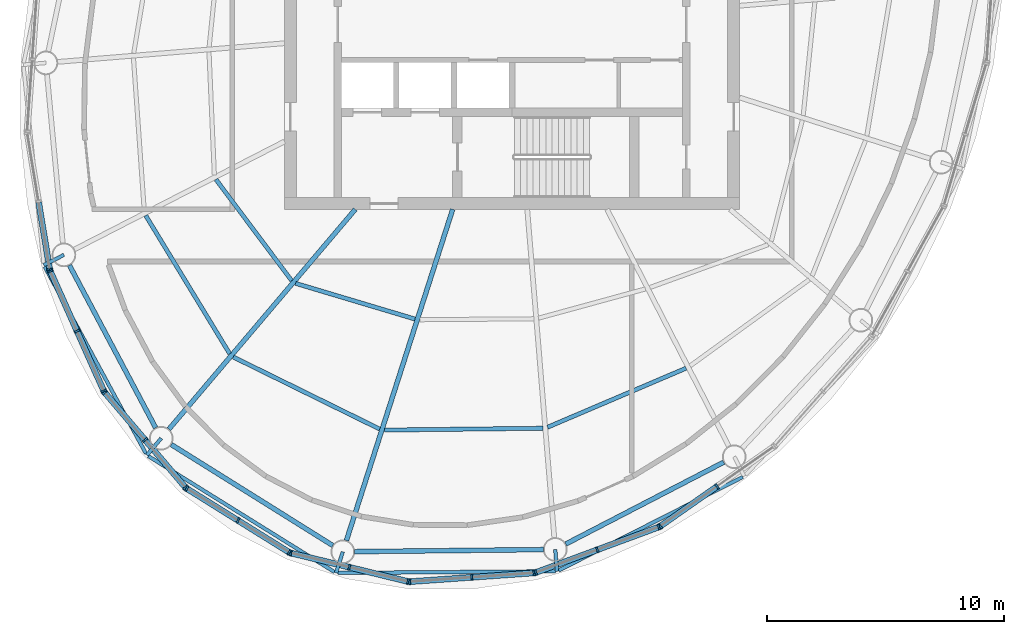
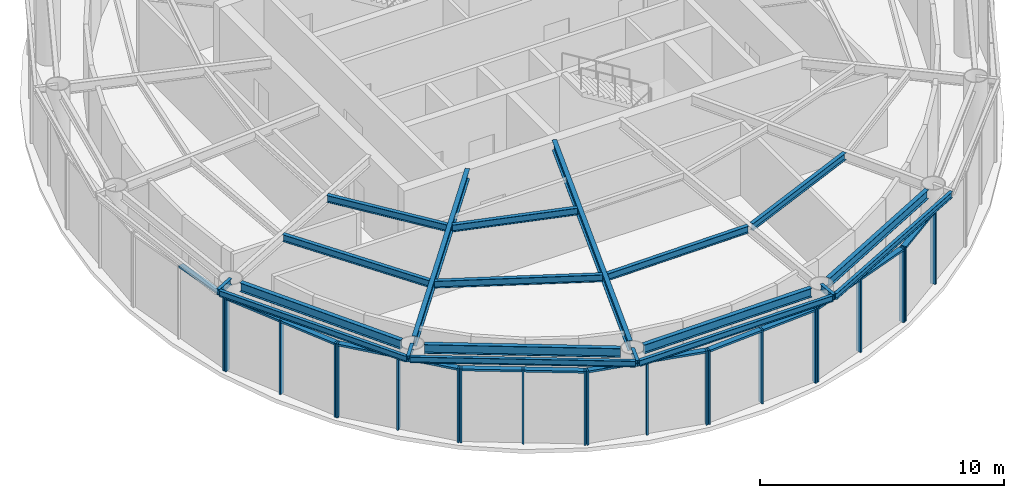
# One storey, part 2 of 11: 35 members, 20 beams, 8 elements without a shape of their own.
"""IFC4 building model written with IfcOpenShell, lengths in metres."""

from ifc_helpers import new_model, si_unit, direction, frame, origin, origin_2d, place, context, subcontext, project, spatial, rectangle, i_section, extrude, material, material_profile, profile_set, type_object, element, aggregate, save


model = new_model("IFC4")

# Units and contexts
model_context = context("Model", 3, precision=1e-05, world=origin(), true_north=direction((0.0, 1.0)))
body_context = subcontext(model_context, "Body", "Model", "MODEL_VIEW")
ifc_project = project(units=[si_unit("LENGTHUNIT", "METRE"), si_unit("AREAUNIT", "SQUARE_METRE"), si_unit("VOLUMEUNIT", "CUBIC_METRE"), si_unit("PLANEANGLEUNIT", "RADIAN"), si_unit("MASSUNIT", "GRAM", prefix="KILO")], contexts=[model_context])

# Site, building, storey
site_placement = place(None, origin())
site = spatial("IfcSite", under=ifc_project, at=site_placement, CompositionType="ELEMENT")
building_placement = place(site_placement, origin())
building = spatial("IfcBuilding", under=site, at=building_placement, Name="Vermilion Reach Broadcast Tower", CompositionType="ELEMENT")
storey_placement = place(building_placement, frame((0.0, 0.0, 317.10009765625)))
storey = spatial("IfcBuildingStorey", under=building, at=storey_placement, Name="L79 CROWN", CompositionType="ELEMENT", Elevation=317.10009765625)

# Curtain wall, member
ifc_material_1 = material(Name="Low-e laminated clear glass in aluminium frame", Category="aluminium")
curtain_wall_type = type_object("IfcCurtainWallType", Name="Crown glazing curtain wall", PredefinedType="NOTDEFINED", material=ifc_material_1)
placement = place(storey_placement, origin())
curtain_wall_1 = element("IfcCurtainWall", 1, at=placement, inside=storey, type_object=curtain_wall_type, Name="Crown glazing L79 CROWN 09", PredefinedType="NOTDEFINED")
ifc_material_2 = material(Name="Anodised aluminium", Category="aluminium")
ifc_material_profile_1 = material_profile(ifc_material_2, rectangle(XDim=0.25, YDim=0.080078125, at=origin_2d()), Name="Crown glazing mullion 80 x 250")
ifc_profile_set_1 = profile_set([ifc_material_profile_1], Name="Anodised aluminium")
member_type_1 = type_object("IfcMemberType", Name="Crown glazing mullion 80 x 250", PredefinedType="MULLION", material=ifc_profile_set_1)
member_1_placement = place(storey_placement, frame((-25.5029296875, -10.3359375, 0.0), z_axis=(0.0, 0.0, 1.0), x_axis=(0.986689101121, 0.162618011697, 0.0)))
member_1 = element("IfcMember", 2, at=member_1_placement, type_object=member_type_1, Name="Crown glazing mullion L79 CROWN 09.3", PredefinedType="MULLION", context=body_context, shape_type="SweptSolid", body=[
    extrude(rectangle(XDim=0.25, YDim=0.080078125, at=origin_2d()), origin(), (0.0, 0.0, 1.0), 3.699951171875),
])

# Curtain wall, members
curtain_wall_2 = element("IfcCurtainWall", 3, at=placement, inside=storey, type_object=curtain_wall_type, Name="Crown glazing L79 CROWN 10", PredefinedType="NOTDEFINED")
member_2_placement = place(storey_placement, frame((-25.480224609375, -10.411865234375, 0.0), z_axis=(0.0, 0.0, 1.0), x_axis=(0.912988806241, 0.407984607158, 0.0)))
member_2 = element("IfcMember", 4, at=member_2_placement, type_object=member_type_1, Name="Crown glazing mullion L79 CROWN 10.1", PredefinedType="MULLION", context=body_context, shape_type="SweptSolid", body=[
    extrude(rectangle(XDim=0.25, YDim=0.080078125, at=origin_2d()), origin(), (0.0, 0.0, 1.0), 3.699951171875),
])
member_3_placement = place(storey_placement, frame((-24.35205078125, -12.9365234375, 0.0), z_axis=(0.0, 0.0, 1.0), x_axis=(0.912988806241, 0.407984607158, 0.0)))
member_3 = element("IfcMember", 5, at=member_3_placement, type_object=member_type_1, Name="Crown glazing mullion L79 CROWN 10.2", PredefinedType="MULLION", context=body_context, shape_type="SweptSolid", body=[
    extrude(rectangle(XDim=0.25, YDim=0.080078125, at=origin_2d()), origin(), (0.0, 0.0, 1.0), 3.699951171875),
])
member_4_placement = place(storey_placement, frame((-23.2236328125, -15.46142578125, 0.0), z_axis=(0.0, 0.0, 1.0), x_axis=(0.912988806241, 0.407984607158, 0.0)))
member_4 = element("IfcMember", 6, at=member_4_placement, type_object=member_type_1, Name="Crown glazing mullion L79 CROWN 10.3", PredefinedType="MULLION", context=body_context, shape_type="SweptSolid", body=[
    extrude(rectangle(XDim=0.25, YDim=0.080078125, at=origin_2d()), origin(), (0.0, 0.0, 1.0), 3.699951171875),
])

curtain_wall_3 = element("IfcCurtainWall", 7, at=placement, inside=storey, type_object=curtain_wall_type, Name="Crown glazing L79 CROWN 11", PredefinedType="NOTDEFINED")
member_5_placement = place(storey_placement, frame((-23.181396484375, -15.5283203125, 0.0), z_axis=(0.0, 0.0, 1.0), x_axis=(0.761749854468, 0.647871252038, 0.0)))
member_5 = element("IfcMember", 8, at=member_5_placement, type_object=member_type_1, Name="Crown glazing mullion L79 CROWN 11.1", PredefinedType="MULLION", context=body_context, shape_type="SweptSolid", body=[
    extrude(rectangle(XDim=0.25, YDim=0.080078125, at=origin_2d()), origin(), (0.0, 0.0, 1.0), 3.699951171875),
])
member_6_placement = place(storey_placement, frame((-21.480224609375, -17.52880859375, 0.0), z_axis=(0.0, 0.0, 1.0), x_axis=(0.761749854468, 0.647871252038, 0.0)))
member_6 = element("IfcMember", 9, at=member_6_placement, type_object=member_type_1, Name="Crown glazing mullion L79 CROWN 11.2", PredefinedType="MULLION", context=body_context, shape_type="SweptSolid", body=[
    extrude(rectangle(XDim=0.25, YDim=0.080078125, at=origin_2d()), origin(), (0.0, 0.0, 1.0), 3.699951171875),
])
member_7_placement = place(storey_placement, frame((-19.77880859375, -19.529052734375, 0.0), z_axis=(0.0, 0.0, 1.0), x_axis=(0.761749854468, 0.647871252038, 0.0)))
member_7 = element("IfcMember", 10, at=member_7_placement, type_object=member_type_1, Name="Crown glazing mullion L79 CROWN 11.3", PredefinedType="MULLION", context=body_context, shape_type="SweptSolid", body=[
    extrude(rectangle(XDim=0.25, YDim=0.080078125, at=origin_2d()), origin(), (0.0, 0.0, 1.0), 3.699951171875),
])

curtain_wall_4 = element("IfcCurtainWall", 11, at=placement, inside=storey, type_object=curtain_wall_type, Name="Crown glazing L79 CROWN 12", PredefinedType="NOTDEFINED")
member_8_placement = place(storey_placement, frame((-19.718994140625, -19.580810546875, 0.0), z_axis=(0.0, 0.0, 1.0), x_axis=(0.52886102859, 0.848708437827, 0.0)))
member_8 = element("IfcMember", 12, at=member_8_placement, type_object=member_type_1, Name="Crown glazing mullion L79 CROWN 12.1", PredefinedType="MULLION", context=body_context, shape_type="SweptSolid", body=[
    extrude(rectangle(XDim=0.25, YDim=0.080078125, at=origin_2d()), origin(), (0.0, 0.0, 1.0), 3.699951171875),
])
member_9_placement = place(storey_placement, frame((-17.5615234375, -20.925048828125, 0.0), z_axis=(0.0, 0.0, 1.0), x_axis=(0.52886102859, 0.848708437827, 0.0)))
member_9 = element("IfcMember", 13, at=member_9_placement, type_object=member_type_1, Name="Crown glazing mullion L79 CROWN 12.2", PredefinedType="MULLION", context=body_context, shape_type="SweptSolid", body=[
    extrude(rectangle(XDim=0.25, YDim=0.080078125, at=origin_2d()), origin(), (0.0, 0.0, 1.0), 3.699951171875),
])
member_10_placement = place(storey_placement, frame((-15.404052734375, -22.26953125, 0.0), z_axis=(0.0, 0.0, 1.0), x_axis=(0.52886102859, 0.848708437827, 0.0)))
member_10 = element("IfcMember", 14, at=member_10_placement, type_object=member_type_1, Name="Crown glazing mullion L79 CROWN 12.3", PredefinedType="MULLION", context=body_context, shape_type="SweptSolid", body=[
    extrude(rectangle(XDim=0.25, YDim=0.080078125, at=origin_2d()), origin(), (0.0, 0.0, 1.0), 3.699951171875),
])

curtain_wall_5 = element("IfcCurtainWall", 15, at=placement, inside=storey, type_object=curtain_wall_type, Name="Crown glazing L79 CROWN 13", PredefinedType="NOTDEFINED")
member_11_placement = place(storey_placement, frame((-15.331298828125, -22.300048828125, 0.0), z_axis=(0.0, 0.0, 1.0), x_axis=(0.236354420386, 0.971666912045, 0.0)))
member_11 = element("IfcMember", 16, at=member_11_placement, type_object=member_type_1, Name="Crown glazing mullion L79 CROWN 13.1", PredefinedType="MULLION", context=body_context, shape_type="SweptSolid", body=[
    extrude(rectangle(XDim=0.25, YDim=0.080078125, at=origin_2d()), origin(), (0.0, 0.0, 1.0), 3.699951171875),
])
member_12_placement = place(storey_placement, frame((-12.861328125, -22.90087890625, 0.0), z_axis=(0.0, 0.0, 1.0), x_axis=(0.236354420386, 0.971666912045, 0.0)))
member_12 = element("IfcMember", 17, at=member_12_placement, type_object=member_type_1, Name="Crown glazing mullion L79 CROWN 13.2", PredefinedType="MULLION", context=body_context, shape_type="SweptSolid", body=[
    extrude(rectangle(XDim=0.25, YDim=0.080078125, at=origin_2d()), origin(), (0.0, 0.0, 1.0), 3.699951171875),
])
member_13_placement = place(storey_placement, frame((-10.39111328125, -23.501708984375, 0.0), z_axis=(0.0, 0.0, 1.0), x_axis=(0.236354420386, 0.971666912045, 0.0)))
member_13 = element("IfcMember", 18, at=member_13_placement, type_object=member_type_1, Name="Crown glazing mullion L79 CROWN 13.3", PredefinedType="MULLION", context=body_context, shape_type="SweptSolid", body=[
    extrude(rectangle(XDim=0.25, YDim=0.080078125, at=origin_2d()), origin(), (0.0, 0.0, 1.0), 3.699951171875),
])

curtain_wall_6 = element("IfcCurtainWall", 19, at=placement, inside=storey, type_object=curtain_wall_type, Name="Crown glazing L79 CROWN 14", PredefinedType="NOTDEFINED")
member_14_placement = place(storey_placement, frame((-10.3125, -23.50830078125, 0.0), z_axis=(0.0, 0.0, 1.0), x_axis=(-0.070082236977, 0.997541217224, 0.0)))
member_14 = element("IfcMember", 20, at=member_14_placement, type_object=member_type_1, Name="Crown glazing mullion L79 CROWN 14.1", PredefinedType="MULLION", context=body_context, shape_type="SweptSolid", body=[
    extrude(rectangle(XDim=0.25, YDim=0.080078125, at=origin_2d()), origin(), (0.0, 0.0, 1.0), 3.699951171875),
])
member_15_placement = place(storey_placement, frame((-7.69287109375, -23.324462890625, 0.0), z_axis=(0.0, 0.0, 1.0), x_axis=(-0.070082236977, 0.997541217224, 0.0)))
member_15 = element("IfcMember", 21, at=member_15_placement, type_object=member_type_1, Name="Crown glazing mullion L79 CROWN 14.2", PredefinedType="MULLION", context=body_context, shape_type="SweptSolid", body=[
    extrude(rectangle(XDim=0.25, YDim=0.080078125, at=origin_2d()), origin(), (0.0, 0.0, 1.0), 3.699951171875),
])
member_16_placement = place(storey_placement, frame((-5.0732421875, -23.140380859375, 0.0), z_axis=(0.0, 0.0, 1.0), x_axis=(-0.070082236977, 0.997541217224, 0.0)))
member_16 = element("IfcMember", 22, at=member_16_placement, type_object=member_type_1, Name="Crown glazing mullion L79 CROWN 14.3", PredefinedType="MULLION", context=body_context, shape_type="SweptSolid", body=[
    extrude(rectangle(XDim=0.25, YDim=0.080078125, at=origin_2d()), origin(), (0.0, 0.0, 1.0), 3.699951171875),
])

curtain_wall_7 = element("IfcCurtainWall", 23, at=placement, inside=storey, type_object=curtain_wall_type, Name="Crown glazing L79 CROWN 15", PredefinedType="NOTDEFINED")
member_17_placement = place(storey_placement, frame((-4.995849609375, -23.12353515625, 0.0), z_axis=(0.0, 0.0, 1.0), x_axis=(-0.347291008771, 0.93775740745, 0.0)))
member_17 = element("IfcMember", 24, at=member_17_placement, type_object=member_type_1, Name="Crown glazing mullion L79 CROWN 15.1", PredefinedType="MULLION", context=body_context, shape_type="SweptSolid", body=[
    extrude(rectangle(XDim=0.25, YDim=0.080078125, at=origin_2d()), origin(), (0.0, 0.0, 1.0), 3.699951171875),
])
member_18_placement = place(storey_placement, frame((-2.402587890625, -22.163330078125, 0.0), z_axis=(0.0, 0.0, 1.0), x_axis=(-0.347291008771, 0.93775740745, 0.0)))
member_18 = element("IfcMember", 25, at=member_18_placement, type_object=member_type_1, Name="Crown glazing mullion L79 CROWN 15.2", PredefinedType="MULLION", context=body_context, shape_type="SweptSolid", body=[
    extrude(rectangle(XDim=0.25, YDim=0.080078125, at=origin_2d()), origin(), (0.0, 0.0, 1.0), 3.699951171875),
])
member_19_placement = place(storey_placement, frame((0.190673828125, -21.202880859375, 0.0), z_axis=(0.0, 0.0, 1.0), x_axis=(-0.347291008771, 0.93775740745, 0.0)))
member_19 = element("IfcMember", 26, at=member_19_placement, type_object=member_type_1, Name="Crown glazing mullion L79 CROWN 15.3", PredefinedType="MULLION", context=body_context, shape_type="SweptSolid", body=[
    extrude(rectangle(XDim=0.25, YDim=0.080078125, at=origin_2d()), origin(), (0.0, 0.0, 1.0), 3.699951171875),
])

curtain_wall_8 = element("IfcCurtainWall", 27, at=placement, inside=storey, type_object=curtain_wall_type, Name="Crown glazing L79 CROWN 16", PredefinedType="NOTDEFINED")
member_20_placement = place(storey_placement, frame((0.2607421875, -21.166015625, 0.0), z_axis=(0.0, 0.0, 1.0), x_axis=(-0.574163969023, 0.818740335317, 0.0)))
member_20 = element("IfcMember", 28, at=member_20_placement, type_object=member_type_1, Name="Crown glazing mullion L79 CROWN 16.1", PredefinedType="MULLION", context=body_context, shape_type="SweptSolid", body=[
    extrude(rectangle(XDim=0.25, YDim=0.080078125, at=origin_2d()), origin(), (0.0, 0.0, 1.0), 3.699951171875),
])
member_21_placement = place(storey_placement, frame((2.64990234375, -19.49072265625, 0.0), z_axis=(0.0, 0.0, 1.0), x_axis=(-0.574163969023, 0.818740335317, 0.0)))
member_21 = element("IfcMember", 29, at=member_21_placement, type_object=member_type_1, Name="Crown glazing mullion L79 CROWN 16.2", PredefinedType="MULLION", context=body_context, shape_type="SweptSolid", body=[
    extrude(rectangle(XDim=0.25, YDim=0.080078125, at=origin_2d()), origin(), (0.0, 0.0, 1.0), 3.699951171875),
])

# Member
ifc_material_3 = material(Name="Anodised aluminium", Category="aluminium")
ifc_material_profile_2 = material_profile(ifc_material_3, rectangle(XDim=0.25, YDim=0.10009765625, at=origin_2d()), Name="Crown glazing transom 250 x 100")
ifc_profile_set_2 = profile_set([ifc_material_profile_2], Name="Anodised aluminium")
member_type_2 = type_object("IfcMemberType", Name="Crown glazing transom 250 x 100", PredefinedType="USERDEFINED", material=ifc_profile_set_2)
member_22_placement = place(storey_placement, frame((-25.970947265625, -7.496337890625, 3.64990234375), z_axis=(0.162599033258, -0.986692228805, 0.0), x_axis=(0.986692228805, 0.162599033258, 0.0)))
member_22 = element("IfcMember", 30, at=member_22_placement, type_object=member_type_2, Name="Crown glazing transom L79 CROWN 09.2.2", ObjectType="TRANSOM", PredefinedType="USERDEFINED", context=body_context, shape_type="SweptSolid", body=[
    extrude(rectangle(XDim=0.25, YDim=0.10009765625, at=origin_2d()), origin(), (0.0, 0.0, 1.0), 2.837890625),
])

aggregate(curtain_wall_1, [member_1, member_22])

member_23_placement = place(storey_placement, frame((-25.4638671875, -10.4482421875, 3.64990234375), z_axis=(0.407993268167, -0.912984935873, 0.0), x_axis=(0.912984935873, 0.407993268167, 0.0)))
member_23 = element("IfcMember", 31, at=member_23_placement, type_object=member_type_2, Name="Crown glazing transom L79 CROWN 10.1.2", ObjectType="TRANSOM", PredefinedType="USERDEFINED", context=body_context, shape_type="SweptSolid", body=[
    extrude(rectangle(XDim=0.25, YDim=0.10009765625, at=origin_2d()), origin(), (0.0, 0.0, 1.0), 2.685546875),
])

member_24_placement = place(storey_placement, frame((-24.335693359375, -12.97314453125, 3.64990234375), z_axis=(0.40802713302, -0.912969801647, 0.0), x_axis=(0.912969801647, 0.40802713302, 0.0)))
member_24 = element("IfcMember", 32, at=member_24_placement, type_object=member_type_2, Name="Crown glazing transom L79 CROWN 10.2.2", ObjectType="TRANSOM", PredefinedType="USERDEFINED", context=body_context, shape_type="SweptSolid", body=[
    extrude(rectangle(XDim=0.25, YDim=0.10009765625, at=origin_2d()), origin(), (0.0, 0.0, 1.0), 2.685302734375),
])

aggregate(curtain_wall_2, [member_2, member_3, member_4, member_23, member_24])

member_25_placement = place(storey_placement, frame((-23.155517578125, -15.558837890625, 3.64990234375), z_axis=(0.647848811341, -0.7617689398, 0.0), x_axis=(0.7617689398, 0.647848811341, 0.0)))
member_25 = element("IfcMember", 33, at=member_25_placement, type_object=member_type_2, Name="Crown glazing transom L79 CROWN 11.1.2", ObjectType="TRANSOM", PredefinedType="USERDEFINED", context=body_context, shape_type="SweptSolid", body=[
    extrude(rectangle(XDim=0.25, YDim=0.10009765625, at=origin_2d()), origin(), (0.0, 0.0, 1.0), 2.5458984375),
])

member_26_placement = place(storey_placement, frame((-21.454345703125, -17.55908203125, 3.64990234375), z_axis=(0.647904451719, -0.761721616762, 0.0), x_axis=(0.761721616762, 0.647904451719, 0.0)))
member_26 = element("IfcMember", 34, at=member_26_placement, type_object=member_type_2, Name="Crown glazing transom L79 CROWN 11.2.2", ObjectType="TRANSOM", PredefinedType="USERDEFINED", context=body_context, shape_type="SweptSolid", body=[
    extrude(rectangle(XDim=0.25, YDim=0.10009765625, at=origin_2d()), origin(), (0.0, 0.0, 1.0), 2.546142578125),
])

aggregate(curtain_wall_3, [member_5, member_6, member_7, member_25, member_26])

member_27_placement = place(storey_placement, frame((-19.68505859375, -19.601806640625, 3.64990234375), z_axis=(0.848682779768, -0.528902202043, 0.0), x_axis=(0.528902202043, 0.848682779768, 0.0)))
member_27 = element("IfcMember", 35, at=member_27_placement, type_object=member_type_2, Name="Crown glazing transom L79 CROWN 12.1.2", ObjectType="TRANSOM", PredefinedType="USERDEFINED", context=body_context, shape_type="SweptSolid", body=[
    extrude(rectangle(XDim=0.25, YDim=0.10009765625, at=origin_2d()), origin(), (0.0, 0.0, 1.0), 2.462158203125),
])

member_28_placement = place(storey_placement, frame((-17.527587890625, -20.9462890625, 3.64990234375), z_axis=(0.848727287614, -0.528830777526, 0.0), x_axis=(0.528830777526, 0.848727287614, 0.0)))
member_28 = element("IfcMember", 36, at=member_28_placement, type_object=member_type_2, Name="Crown glazing transom L79 CROWN 12.2.2", ObjectType="TRANSOM", PredefinedType="USERDEFINED", context=body_context, shape_type="SweptSolid", body=[
    extrude(rectangle(XDim=0.25, YDim=0.10009765625, at=origin_2d()), origin(), (0.0, 0.0, 1.0), 2.462158203125),
])

aggregate(curtain_wall_4, [member_8, member_9, member_10, member_27, member_28])

member_29_placement = place(storey_placement, frame((-15.29248046875, -22.3095703125, 3.64990234375), z_axis=(0.971679911502, -0.236300972457, 0.0), x_axis=(0.236300972457, 0.971679911502, 0.0)))
member_29 = element("IfcMember", 37, at=member_29_placement, type_object=member_type_2, Name="Crown glazing transom L79 CROWN 13.1.2", ObjectType="TRANSOM", PredefinedType="USERDEFINED", context=body_context, shape_type="SweptSolid", body=[
    extrude(rectangle(XDim=0.25, YDim=0.10009765625, at=origin_2d()), origin(), (0.0, 0.0, 1.0), 2.462158203125),
])

member_30_placement = place(storey_placement, frame((-12.822265625, -22.910400390625, 3.64990234375), z_axis=(0.971674373727, -0.236323742865, 0.0), x_axis=(0.236323742865, 0.971674373727, 0.0)))
member_30 = element("IfcMember", 38, at=member_30_placement, type_object=member_type_2, Name="Crown glazing transom L79 CROWN 13.2.2", ObjectType="TRANSOM", PredefinedType="USERDEFINED", context=body_context, shape_type="SweptSolid", body=[
    extrude(rectangle(XDim=0.25, YDim=0.10009765625, at=origin_2d()), origin(), (0.0, 0.0, 1.0), 2.4619140625),
])

aggregate(curtain_wall_5, [member_11, member_12, member_13, member_29, member_30])

member_31_placement = place(storey_placement, frame((-10.2724609375, -23.505615234375, 3.64990234375), z_axis=(0.997539824471, 0.07010205842, 0.0), x_axis=(-0.07010205842, 0.997539824471, 0.0)))
member_31 = element("IfcMember", 39, at=member_31_placement, type_object=member_type_2, Name="Crown glazing transom L79 CROWN 14.1.2", ObjectType="TRANSOM", PredefinedType="USERDEFINED", context=body_context, shape_type="SweptSolid", body=[
    extrude(rectangle(XDim=0.25, YDim=0.10009765625, at=origin_2d()), origin(), (0.0, 0.0, 1.0), 2.5458984375),
])

member_32_placement = place(storey_placement, frame((-7.653076171875, -23.321533203125, 3.64990234375), z_axis=(0.997540295679, 0.070095352893, 0.0), x_axis=(-0.070095352893, 0.997540295679, 0.0)))
member_32 = element("IfcMember", 40, at=member_32_placement, type_object=member_type_2, Name="Crown glazing transom L79 CROWN 14.2.2", ObjectType="TRANSOM", PredefinedType="USERDEFINED", context=body_context, shape_type="SweptSolid", body=[
    extrude(rectangle(XDim=0.25, YDim=0.10009765625, at=origin_2d()), origin(), (0.0, 0.0, 1.0), 2.546142578125),
])

aggregate(curtain_wall_6, [member_14, member_15, member_16, member_31, member_32])

member_33_placement = place(storey_placement, frame((-4.95849609375, -23.109619140625, 3.64990234375), z_axis=(0.937789331633, 0.347204794717, 0.0), x_axis=(-0.347204794717, 0.937789331633, 0.0)))
member_33 = element("IfcMember", 41, at=member_33_placement, type_object=member_type_2, Name="Crown glazing transom L79 CROWN 15.1.2", ObjectType="TRANSOM", PredefinedType="USERDEFINED", context=body_context, shape_type="SweptSolid", body=[
    extrude(rectangle(XDim=0.25, YDim=0.10009765625, at=origin_2d()), origin(), (0.0, 0.0, 1.0), 2.685302734375),
])

member_34_placement = place(storey_placement, frame((-2.365234375, -22.1494140625, 3.64990234375), z_axis=(0.93775972675, 0.347284746116, 0.0), x_axis=(-0.347284746116, 0.93775972675, 0.0)))
member_34 = element("IfcMember", 42, at=member_34_placement, type_object=member_type_2, Name="Crown glazing transom L79 CROWN 15.2.2", ObjectType="TRANSOM", PredefinedType="USERDEFINED", context=body_context, shape_type="SweptSolid", body=[
    extrude(rectangle(XDim=0.25, YDim=0.10009765625, at=origin_2d()), origin(), (0.0, 0.0, 1.0), 2.685546875),
])

aggregate(curtain_wall_7, [member_17, member_18, member_19, member_33, member_34])

member_35_placement = place(storey_placement, frame((0.293701171875, -21.14306640625, 3.64990234375), z_axis=(0.818742582552, 0.574160764522, 0.0), x_axis=(-0.574160764522, 0.818742582552, 0.0)))
member_35 = element("IfcMember", 43, at=member_35_placement, type_object=member_type_2, Name="Crown glazing transom L79 CROWN 16.1.2", ObjectType="TRANSOM", PredefinedType="USERDEFINED", context=body_context, shape_type="SweptSolid", body=[
    extrude(rectangle(XDim=0.25, YDim=0.10009765625, at=origin_2d()), origin(), (0.0, 0.0, 1.0), 2.837890625),
])

aggregate(curtain_wall_8, [member_20, member_21, member_35])

# Beams
ifc_material_4 = material(Name="Steel S355J2", Category="steel")
ifc_material_profile_3 = material_profile(ifc_material_4, i_section(OverallWidth=0.14990234375, OverallDepth=0.300048828125, WebThickness=0.006591796875, FlangeThickness=0.009033203125, at=origin_2d()), Name="S355J2 HN 300x150x6.5x9")
ifc_profile_set_3 = profile_set([ifc_material_profile_3], Name="Steel S355J2")
beam_type_1 = type_object("IfcBeamType", Name="EB5 HN 300x150x6.5x9", PredefinedType="BEAM", material=ifc_profile_set_3)
beam_1_placement = place(storey_placement, frame((-25.7158203125, -10.22119140625, 3.849853515625), z_axis=(0.476526173128, -0.879160284774, 0.0), x_axis=(0.879160284774, 0.476526173128, 0.0)))
element("IfcBeam", 44, at=beam_1_placement, inside=storey, type_object=beam_type_1, Name="Edge beam EB5-07", PredefinedType="BEAM", context=body_context, shape_type="SweptSolid", body=[
    extrude(i_section(OverallWidth=0.14990234375, OverallDepth=0.300048828125, WebThickness=0.006591796875, FlangeThickness=0.009033203125, at=origin_2d()), origin(), (0.0, 0.0, 1.0), 8.9638671875),
])
beam_2_placement = place(storey_placement, frame((-21.341552734375, -18.212646484375, 3.849853515625), z_axis=(0.848928421209, -0.528507838791, 0.0), x_axis=(0.528507838791, 0.848928421209, 0.0)))
element("IfcBeam", 45, at=beam_2_placement, inside=storey, type_object=beam_type_1, Name="Edge beam EB5-08", PredefinedType="BEAM", context=body_context, shape_type="SweptSolid", body=[
    extrude(i_section(OverallWidth=0.14990234375, OverallDepth=0.300048828125, WebThickness=0.006591796875, FlangeThickness=0.009033203125, at=origin_2d()), origin(), (0.0, 0.0, 1.0), 9.24755859375),
])
beam_3_placement = place(storey_placement, frame((-13.346435546875, -23.140380859375, 3.849853515625), z_axis=(0.999971629622, 0.007532592595, 0.0), x_axis=(-0.007532592595, 0.999971629622, 0.0)))
element("IfcBeam", 46, at=beam_3_placement, inside=storey, type_object=beam_type_1, Name="Edge beam EB5-09", PredefinedType="BEAM", context=body_context, shape_type="SweptSolid", body=[
    extrude(i_section(OverallWidth=0.14990234375, OverallDepth=0.300048828125, WebThickness=0.006591796875, FlangeThickness=0.009033203125, at=origin_2d()), origin(), (0.0, 0.0, 1.0), 9.17236328125),
])
beam_4_placement = place(storey_placement, frame((-4.02685546875, -23.033935546875, 3.849853515625), z_axis=(0.891604217889, 0.452815545936, 0.0), x_axis=(-0.452815545936, 0.891604217889, 0.0)))
element("IfcBeam", 47, at=beam_4_placement, inside=storey, type_object=beam_type_1, Name="Edge beam EB5-10", PredefinedType="BEAM", context=body_context, shape_type="SweptSolid", body=[
    extrude(i_section(OverallWidth=0.14990234375, OverallDepth=0.300048828125, WebThickness=0.006591796875, FlangeThickness=0.009033203125, at=origin_2d()), origin(), (0.0, 0.0, 1.0), 8.70263671875),
])
ifc_material_5 = material(Name="Steel S355J2", Category="steel")
ifc_material_profile_4 = material_profile(ifc_material_5, i_section(OverallWidth=0.199951171875, OverallDepth=0.5, WebThickness=0.010009765625, FlangeThickness=0.01611328125, at=origin_2d()), Name="S355J2 HN 500x200x10x16")
ifc_profile_set_4 = profile_set([ifc_material_profile_4], Name="Steel S355J2")
beam_type_2 = type_object("IfcBeamType", Name="G5 HN 500x200x10x16", PredefinedType="BEAM", material=ifc_profile_set_4)
beam_5_placement = place(storey_placement, frame((-12.612548828125, -7.800048828125, 3.75), z_axis=(-0.646658335602, -0.762779782766, 0.0), x_axis=(0.762779782766, -0.646658335602, 0.0)))
element("IfcBeam", 48, at=beam_5_placement, inside=storey, type_object=beam_type_2, Name="Girder G5-08", PredefinedType="BEAM", context=body_context, shape_type="SweptSolid", body=[
    extrude(i_section(OverallWidth=0.199951171875, OverallDepth=0.5, WebThickness=0.010009765625, FlangeThickness=0.01611328125, at=origin_2d()), origin(), (0.0, 0.0, 1.0), 12.16064453125),
])
beam_6_placement = place(storey_placement, frame((-8.502685546875, -7.800048828125, 3.75), z_axis=(-0.305545401295, -0.952177508528, 0.0), x_axis=(0.952177508528, -0.305545401295, 0.0)))
element("IfcBeam", 49, at=beam_6_placement, inside=storey, type_object=beam_type_2, Name="Girder G5-09", PredefinedType="BEAM", context=body_context, shape_type="SweptSolid", body=[
    extrude(i_section(OverallWidth=0.199951171875, OverallDepth=0.5, WebThickness=0.010009765625, FlangeThickness=0.01611328125, at=origin_2d()), origin(), (0.0, 0.0, 1.0), 14.672607421875),
])
ifc_material_6 = material(Name="Steel S355J2", Category="steel")
ifc_material_profile_5 = material_profile(ifc_material_6, i_section(OverallWidth=0.14990234375, OverallDepth=0.300048828125, WebThickness=0.006591796875, FlangeThickness=0.009033203125, at=origin_2d()), Name="S355J2 HN 300x150x6.5x9")
ifc_profile_set_5 = profile_set([ifc_material_profile_5], Name="Steel S355J2")
beam_type_3 = type_object("IfcBeamType", Name="GS5 HN 300x150x6.5x9", PredefinedType="BEAM", material=ifc_profile_set_5)
beam_7_placement = place(storey_placement, frame((-24.905517578125, -9.72021484375, 3.849853515625), z_axis=(-0.88934146644, -0.457243650662, 0.0), x_axis=(0.457243650662, -0.88934146644, 0.0)))
element("IfcBeam", 50, at=beam_7_placement, inside=storey, type_object=beam_type_3, Name="Cantilever stub GS5-07", PredefinedType="BEAM", context=body_context, shape_type="SweptSolid", body=[
    extrude(i_section(OverallWidth=0.14990234375, OverallDepth=0.300048828125, WebThickness=0.006591796875, FlangeThickness=0.009033203125, at=origin_2d()), origin(), (0.0, 0.0, 1.0), 0.951416015625),
])
beam_8_placement = place(storey_placement, frame((-20.799560546875, -17.457275390625, 3.849853515625), z_axis=(-0.646665495652, -0.762773712665, 0.0), x_axis=(0.762773712665, -0.646665495652, 0.0)))
element("IfcBeam", 51, at=beam_8_placement, inside=storey, type_object=beam_type_3, Name="Cantilever stub GS5-08", PredefinedType="BEAM", context=body_context, shape_type="SweptSolid", body=[
    extrude(i_section(OverallWidth=0.14990234375, OverallDepth=0.300048828125, WebThickness=0.006591796875, FlangeThickness=0.009033203125, at=origin_2d()), origin(), (0.0, 0.0, 1.0), 0.937744140625),
])
beam_9_placement = place(storey_placement, frame((-13.138427734375, -22.2470703125, 3.849853515625), z_axis=(-0.305596628184, -0.95216106875, 0.0), x_axis=(0.95216106875, -0.305596628184, 0.0)))
element("IfcBeam", 52, at=beam_9_placement, inside=storey, type_object=beam_type_3, Name="Cantilever stub GS5-09", PredefinedType="BEAM", context=body_context, shape_type="SweptSolid", body=[
    extrude(i_section(OverallWidth=0.14990234375, OverallDepth=0.300048828125, WebThickness=0.006591796875, FlangeThickness=0.009033203125, at=origin_2d()), origin(), (0.0, 0.0, 1.0), 0.938720703125),
])
beam_10_placement = place(storey_placement, frame((-4.175048828125, -22.1494140625, 3.849853515625), z_axis=(0.082149174093, -0.996620044548, 0.0), x_axis=(0.996620044548, 0.082149174093, 0.0)))
element("IfcBeam", 53, at=beam_10_placement, inside=storey, type_object=beam_type_3, Name="Cantilever stub GS5-10", PredefinedType="BEAM", context=body_context, shape_type="SweptSolid", body=[
    extrude(i_section(OverallWidth=0.14990234375, OverallDepth=0.300048828125, WebThickness=0.006591796875, FlangeThickness=0.009033203125, at=origin_2d()), origin(), (0.0, 0.0, 1.0), 0.92431640625),
])
ifc_material_7 = material(Name="Steel S355J2", Category="steel")
ifc_material_profile_6 = material_profile(ifc_material_7, i_section(OverallWidth=0.199951171875, OverallDepth=0.449951171875, WebThickness=0.009033203125, FlangeThickness=0.013916015625, at=origin_2d()), Name="S355J2 HN 450x200x9x14")
ifc_profile_set_6 = profile_set([ifc_material_profile_6], Name="Steel S355J2")
beam_type_4 = type_object("IfcBeamType", Name="RB5 HN 450x200x9x14", PredefinedType="BEAM", material=ifc_profile_set_6)
beam_11_placement = place(storey_placement, frame((-24.671142578125, -10.161865234375, 3.77490234375), z_axis=(0.468767917375, -0.883321368269, 0.0), x_axis=(0.883321368269, 0.468767917375, 0.0)))
element("IfcBeam", 54, at=beam_11_placement, inside=storey, type_object=beam_type_4, Name="Ring beam RB5-07", PredefinedType="BEAM", context=body_context, shape_type="SweptSolid", body=[
    extrude(i_section(OverallWidth=0.199951171875, OverallDepth=0.449951171875, WebThickness=0.009033203125, FlangeThickness=0.013916015625, at=origin_2d()), origin(), (0.0, 0.0, 1.0), 7.759033203125),
])
beam_12_placement = place(storey_placement, frame((-20.375732421875, -17.722412109375, 3.77490234375), z_axis=(0.847914653245, -0.530132757724, 0.0), x_axis=(0.530132757724, 0.847914653245, 0.0)))
element("IfcBeam", 55, at=beam_12_placement, inside=storey, type_object=beam_type_4, Name="Ring beam RB5-08", PredefinedType="BEAM", context=body_context, shape_type="SweptSolid", body=[
    extrude(i_section(OverallWidth=0.199951171875, OverallDepth=0.449951171875, WebThickness=0.009033203125, FlangeThickness=0.013916015625, at=origin_2d()), origin(), (0.0, 0.0, 1.0), 8.035400390625),
])
beam_13_placement = place(storey_placement, frame((-12.638427734375, -22.24169921875, 3.77490234375), z_axis=(0.999940445231, 0.010913569149, 0.0), x_axis=(-0.010913569149, 0.999940445231, 0.0)))
element("IfcBeam", 56, at=beam_13_placement, inside=storey, type_object=beam_type_4, Name="Ring beam RB5-09", PredefinedType="BEAM", context=body_context, shape_type="SweptSolid", body=[
    extrude(i_section(OverallWidth=0.199951171875, OverallDepth=0.449951171875, WebThickness=0.009033203125, FlangeThickness=0.013916015625, at=origin_2d()), origin(), (0.0, 0.0, 1.0), 7.9638671875),
])
beam_14_placement = place(storey_placement, frame((-3.731201171875, -21.91943359375, 3.77490234375), z_axis=(0.887960248279, 0.459920207729, 0.0), x_axis=(-0.459920207729, 0.887960248279, 0.0)))
element("IfcBeam", 57, at=beam_14_placement, inside=storey, type_object=beam_type_4, Name="Ring beam RB5-10", PredefinedType="BEAM", context=body_context, shape_type="SweptSolid", body=[
    extrude(i_section(OverallWidth=0.199951171875, OverallDepth=0.449951171875, WebThickness=0.009033203125, FlangeThickness=0.013916015625, at=origin_2d()), origin(), (0.0, 0.0, 1.0), 7.5048828125),
])
ifc_material_8 = material(Name="Steel S355J2", Category="steel")
ifc_material_profile_7 = material_profile(ifc_material_8, i_section(OverallWidth=0.175048828125, OverallDepth=0.35009765625, WebThickness=0.007080078125, FlangeThickness=0.010986328125, at=origin_2d()), Name="S355J2 HN 350x175x7x11")
ifc_profile_set_7 = profile_set([ifc_material_profile_7], Name="Steel S355J2")
beam_type_5 = type_object("IfcBeamType", Name="SB5 HN 350x175x7x11", PredefinedType="BEAM", material=ifc_profile_set_7)
beam_15_placement = place(storey_placement, frame((-18.492919921875, -6.53564453125, 3.824951171875), z_axis=(0.599055582645, -0.800707442767, 0.0), x_axis=(0.800707442767, 0.599055582645, 0.0)))
element("IfcBeam", 58, at=beam_15_placement, inside=storey, type_object=beam_type_5, Name="Secondary beam SB5-07-1", PredefinedType="BEAM", context=body_context, shape_type="SweptSolid", body=[
    extrude(i_section(OverallWidth=0.175048828125, OverallDepth=0.35009765625, WebThickness=0.007080078125, FlangeThickness=0.010986328125, at=origin_2d()), origin(), (0.0, 0.0, 1.0), 5.337890625),
])
beam_16_placement = place(storey_placement, frame((-21.455078125, -8.058837890625, 3.824951171875), z_axis=(0.519272962556, -0.854608442714, 0.0), x_axis=(0.854608442714, 0.519272962556, 0.0)))
element("IfcBeam", 59, at=beam_16_placement, inside=storey, type_object=beam_type_5, Name="Secondary beam SB5-07-2", PredefinedType="BEAM", context=body_context, shape_type="SweptSolid", body=[
    extrude(i_section(OverallWidth=0.175048828125, OverallDepth=0.35009765625, WebThickness=0.007080078125, FlangeThickness=0.010986328125, at=origin_2d()), origin(), (0.0, 0.0, 1.0), 6.82763671875),
])
beam_17_placement = place(storey_placement, frame((-15.129150390625, -10.92333984375, 3.824951171875), z_axis=(0.958124906971, -0.286350593925, 0.0), x_axis=(0.286350593925, 0.958124906971, 0.0)))
element("IfcBeam", 60, at=beam_17_placement, inside=storey, type_object=beam_type_5, Name="Secondary beam SB5-08-1", PredefinedType="BEAM", context=body_context, shape_type="SweptSolid", body=[
    extrude(i_section(OverallWidth=0.175048828125, OverallDepth=0.35009765625, WebThickness=0.007080078125, FlangeThickness=0.010986328125, at=origin_2d()), origin(), (0.0, 0.0, 1.0), 5.25634765625),
])
beam_18_placement = place(storey_placement, frame((-17.762451171875, -14.029541015625, 3.824951171875), z_axis=(0.897335928087, -0.441348198325, 0.0), x_axis=(0.441348198325, 0.897335928087, 0.0)))
element("IfcBeam", 61, at=beam_18_placement, inside=storey, type_object=beam_type_5, Name="Secondary beam SB5-08-2", PredefinedType="BEAM", context=body_context, shape_type="SweptSolid", body=[
    extrude(i_section(OverallWidth=0.175048828125, OverallDepth=0.35009765625, WebThickness=0.007080078125, FlangeThickness=0.010986328125, at=origin_2d()), origin(), (0.0, 0.0, 1.0), 6.887451171875),
])
beam_19_placement = place(storey_placement, frame((-11.385986328125, -17.11279296875, 3.824951171875), z_axis=(0.999932654133, 0.011605481368, 0.0), x_axis=(-0.011605481368, 0.999932654133, 0.0)))
element("IfcBeam", 62, at=beam_19_placement, inside=storey, type_object=beam_type_5, Name="Secondary beam SB5-09-2", PredefinedType="BEAM", context=body_context, shape_type="SweptSolid", body=[
    extrude(i_section(OverallWidth=0.175048828125, OverallDepth=0.35009765625, WebThickness=0.007080078125, FlangeThickness=0.010986328125, at=origin_2d()), origin(), (0.0, 0.0, 1.0), 6.689697265625),
])
beam_20_placement = place(storey_placement, frame((-4.49951171875, -16.99267578125, 3.824951171875), z_axis=(0.919880986172, 0.392197617637, 0.0), x_axis=(-0.392197617637, 0.919880986172, 0.0)))
element("IfcBeam", 63, at=beam_20_placement, inside=storey, type_object=beam_type_5, Name="Secondary beam SB5-10-2", PredefinedType="BEAM", context=body_context, shape_type="SweptSolid", body=[
    extrude(i_section(OverallWidth=0.175048828125, OverallDepth=0.35009765625, WebThickness=0.007080078125, FlangeThickness=0.010986328125, at=origin_2d()), origin(), (0.0, 0.0, 1.0), 6.351806640625),
])

save(model, "model.ifc")
